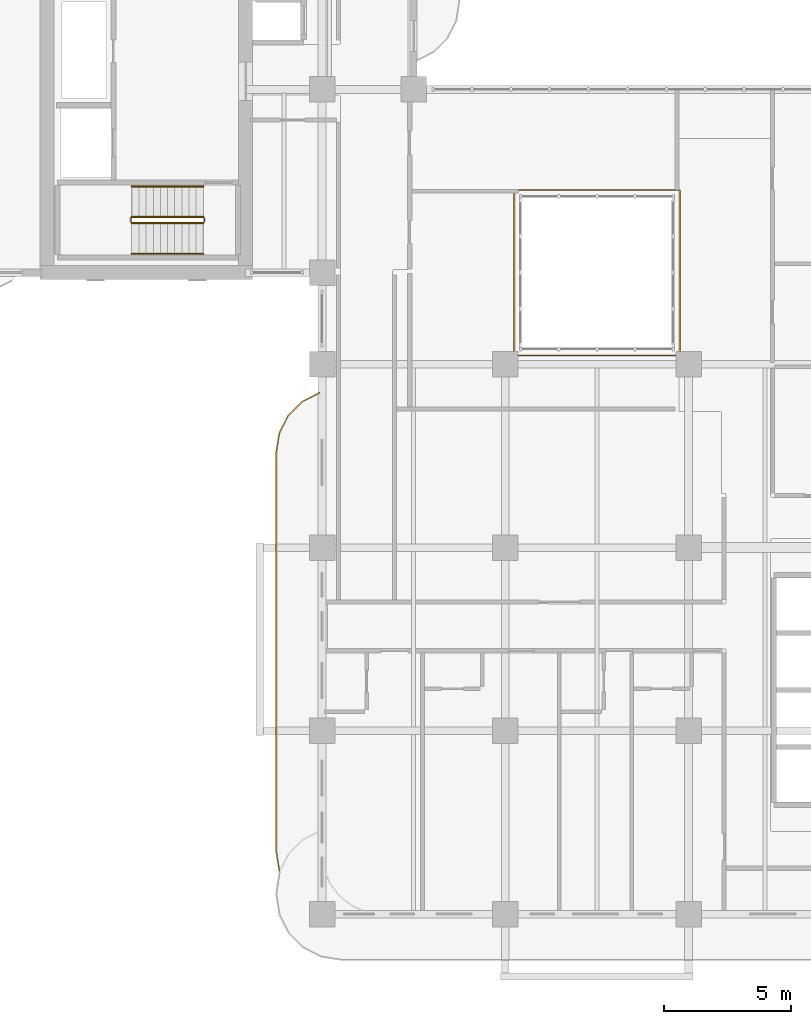
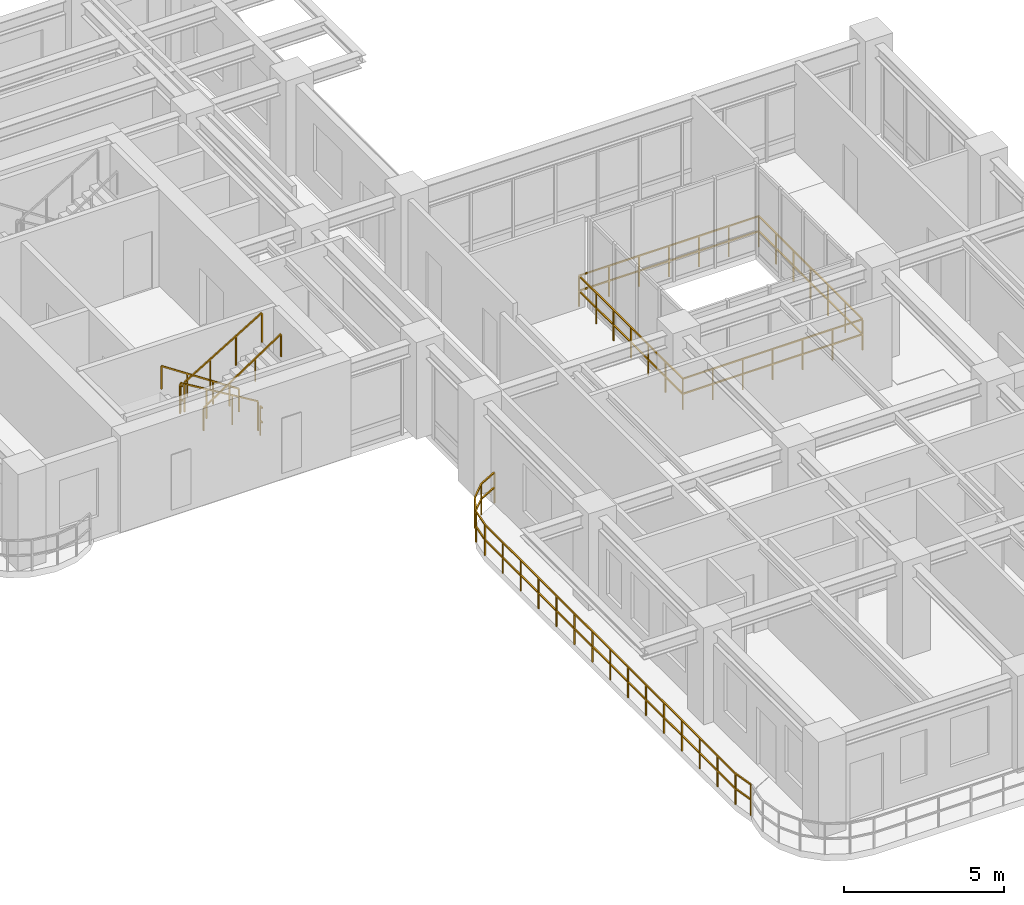
# One storey, part 17 of 20: 8 railings.
"""IFC4 building model written with IfcOpenShell, lengths in metres."""

from ifc_helpers import new_model, si_unit, derived_unit, direction, frame, origin, origin_2d, place, context, subcontext, project, spatial, rectangle, extrude, material, type_object, element, save


model = new_model("IFC4")

# Units and contexts
model_context = context("Model", 3, precision=1e-05, world=origin(), true_north=direction((0.0, 1.0)))
body_context = subcontext(model_context, "Body", "Model", "MODEL_VIEW")
ifc_project = project(units=[si_unit("LENGTHUNIT", "METRE"), si_unit("AREAUNIT", "SQUARE_METRE"), si_unit("VOLUMEUNIT", "CUBIC_METRE"), si_unit("PLANEANGLEUNIT", "RADIAN"), si_unit("MASSUNIT", "GRAM", prefix="KILO"), si_unit("THERMODYNAMICTEMPERATUREUNIT", "KELVIN"), si_unit("POWERUNIT", "WATT"), derived_unit("THERMALTRANSMITTANCEUNIT", [(si_unit("POWERUNIT", "WATT"), 1), (si_unit("AREAUNIT", "SQUARE_METRE"), -1), (si_unit("THERMODYNAMICTEMPERATUREUNIT", "KELVIN"), -1)])], contexts=[model_context])

# Site, building, storey
site_placement = place(None, origin())
site = spatial("IfcSite", under=ifc_project, at=site_placement, CompositionType="ELEMENT")
building_placement = place(site_placement, origin())
building = spatial("IfcBuilding", under=site, at=building_placement, Name="Zahravan Archway Hotel and Residences", CompositionType="ELEMENT")
storey_placement = place(building_placement, frame((0.0, 0.0, 126.60009765625)))
storey = spatial("IfcBuildingStorey", under=building, at=storey_placement, Name="L31", CompositionType="ELEMENT", Elevation=126.60009765625)

# Railings
ifc_material_1 = material(Name="Atrium Laminated Glass Guardrail", Category="glass")
railing_type_1 = type_object("IfcRailingType", Name="RL-ATR-1200", PredefinedType="BALUSTRADE", material=ifc_material_1)
railing_1_placement = place(storey_placement, frame((21.949951171875, 21.949951171875, 0.0)))
element("IfcRailing", 1, at=railing_1_placement, inside=storey, type_object=railing_type_1, Name="L31 Balustrade RL-ATR-L31", PredefinedType="BALUSTRADE", context=body_context, shape_type="SweptSolid", body=[
    extrude(rectangle(XDim=0.048095703125, YDim=0.048095703125, at=origin_2d()), frame((0.0, 0.0, 1.17578125), z_axis=(1.0, 0.0, 0.0), x_axis=(0.0, 1.0, 0.0)), (0.0, 0.0, 1.0), 6.5),
    extrude(rectangle(XDim=0.048095703125, YDim=0.048095703125, at=origin_2d()), frame((0.0, 0.0, 0.60009765625), z_axis=(1.0, 0.0, 0.0), x_axis=(0.0, 1.0, 0.0)), (0.0, 0.0, 1.0), 6.5),
    extrude(rectangle(XDim=0.048095703125, YDim=0.048095703125, at=origin_2d()), frame((6.5, 0.0, 1.17578125), z_axis=(0.0, 1.0, 0.0), x_axis=(-1.0, 0.0, 0.0)), (0.0, 0.0, 1.0), 6.5),
    extrude(rectangle(XDim=0.048095703125, YDim=0.048095703125, at=origin_2d()), frame((6.5, 0.0, 0.60009765625), z_axis=(0.0, 1.0, 0.0), x_axis=(-1.0, 0.0, 0.0)), (0.0, 0.0, 1.0), 6.5),
    extrude(rectangle(XDim=0.048095703125, YDim=0.048095703125, at=origin_2d()), frame((6.5, 6.5, 1.17578125), z_axis=(-1.0, 0.0, 0.0), x_axis=(0.0, -1.0, 0.0)), (0.0, 0.0, 1.0), 6.5),
    extrude(rectangle(XDim=0.048095703125, YDim=0.048095703125, at=origin_2d()), frame((6.5, 6.5, 0.60009765625), z_axis=(-1.0, 0.0, 0.0), x_axis=(0.0, -1.0, 0.0)), (0.0, 0.0, 1.0), 6.5),
    extrude(rectangle(XDim=0.048095703125, YDim=0.048095703125, at=origin_2d()), frame((0.0, 6.5, 1.17578125), z_axis=(0.0, -1.0, 0.0), x_axis=(1.0, 0.0, 0.0)), (0.0, 0.0, 1.0), 6.5),
    extrude(rectangle(XDim=0.048095703125, YDim=0.048095703125, at=origin_2d()), frame((0.0, 6.5, 0.60009765625), z_axis=(0.0, -1.0, 0.0), x_axis=(1.0, 0.0, 0.0)), (0.0, 0.0, 1.0), 6.5),
    extrude(rectangle(XDim=0.0419921875, YDim=0.0419921875, at=origin_2d()), origin(), (0.0, 0.0, 1.0), 1.15185546875),
    extrude(rectangle(XDim=0.0419921875, YDim=0.0419921875, at=origin_2d()), frame((1.083251953125, 0.0, 0.0)), (0.0, 0.0, 1.0), 1.15185546875),
    extrude(rectangle(XDim=0.0419921875, YDim=0.0419921875, at=origin_2d()), frame((2.166748046875, 0.0, 0.0)), (0.0, 0.0, 1.0), 1.15185546875),
    extrude(rectangle(XDim=0.0419921875, YDim=0.0419921875, at=origin_2d()), frame((3.25, 0.0, 0.0)), (0.0, 0.0, 1.0), 1.15185546875),
    extrude(rectangle(XDim=0.0419921875, YDim=0.0419921875, at=origin_2d()), frame((4.333251953125, 0.0, 0.0)), (0.0, 0.0, 1.0), 1.15185546875),
    extrude(rectangle(XDim=0.0419921875, YDim=0.0419921875, at=origin_2d()), frame((5.416748046875, 0.0, 0.0)), (0.0, 0.0, 1.0), 1.15185546875),
    extrude(rectangle(XDim=0.0419921875, YDim=0.0419921875, at=origin_2d()), frame((6.5, 0.0, 0.0)), (0.0, 0.0, 1.0), 1.15185546875),
    extrude(rectangle(XDim=0.0419921875, YDim=0.0419921875, at=origin_2d()), frame((6.5, 1.083251953125, 0.0)), (0.0, 0.0, 1.0), 1.15185546875),
    extrude(rectangle(XDim=0.0419921875, YDim=0.0419921875, at=origin_2d()), frame((6.5, 2.166748046875, 0.0)), (0.0, 0.0, 1.0), 1.15185546875),
    extrude(rectangle(XDim=0.0419921875, YDim=0.0419921875, at=origin_2d()), frame((6.5, 3.25, 0.0)), (0.0, 0.0, 1.0), 1.15185546875),
    extrude(rectangle(XDim=0.0419921875, YDim=0.0419921875, at=origin_2d()), frame((6.5, 4.333251953125, 0.0)), (0.0, 0.0, 1.0), 1.15185546875),
    extrude(rectangle(XDim=0.0419921875, YDim=0.0419921875, at=origin_2d()), frame((6.5, 5.416748046875, 0.0)), (0.0, 0.0, 1.0), 1.15185546875),
    extrude(rectangle(XDim=0.0419921875, YDim=0.0419921875, at=origin_2d()), frame((6.5, 6.5, 0.0)), (0.0, 0.0, 1.0), 1.15185546875),
    extrude(rectangle(XDim=0.0419921875, YDim=0.0419921875, at=origin_2d()), frame((5.416748046875, 6.5, 0.0)), (0.0, 0.0, 1.0), 1.15185546875),
    extrude(rectangle(XDim=0.0419921875, YDim=0.0419921875, at=origin_2d()), frame((4.333251953125, 6.5, 0.0)), (0.0, 0.0, 1.0), 1.15185546875),
    extrude(rectangle(XDim=0.0419921875, YDim=0.0419921875, at=origin_2d()), frame((3.25, 6.5, 0.0)), (0.0, 0.0, 1.0), 1.15185546875),
    extrude(rectangle(XDim=0.0419921875, YDim=0.0419921875, at=origin_2d()), frame((2.166748046875, 6.5, 0.0)), (0.0, 0.0, 1.0), 1.15185546875),
    extrude(rectangle(XDim=0.0419921875, YDim=0.0419921875, at=origin_2d()), frame((1.083251953125, 6.5, 0.0)), (0.0, 0.0, 1.0), 1.15185546875),
    extrude(rectangle(XDim=0.0419921875, YDim=0.0419921875, at=origin_2d()), frame((0.0, 6.5, 0.0)), (0.0, 0.0, 1.0), 1.15185546875),
    extrude(rectangle(XDim=0.0419921875, YDim=0.0419921875, at=origin_2d()), frame((0.0, 5.416748046875, 0.0)), (0.0, 0.0, 1.0), 1.15185546875),
    extrude(rectangle(XDim=0.0419921875, YDim=0.0419921875, at=origin_2d()), frame((0.0, 4.333251953125, 0.0)), (0.0, 0.0, 1.0), 1.15185546875),
    extrude(rectangle(XDim=0.0419921875, YDim=0.0419921875, at=origin_2d()), frame((0.0, 3.25, 0.0)), (0.0, 0.0, 1.0), 1.15185546875),
    extrude(rectangle(XDim=0.0419921875, YDim=0.0419921875, at=origin_2d()), frame((0.0, 2.166748046875, 0.0)), (0.0, 0.0, 1.0), 1.15185546875),
    extrude(rectangle(XDim=0.0419921875, YDim=0.0419921875, at=origin_2d()), frame((0.0, 1.083251953125, 0.0)), (0.0, 0.0, 1.0), 1.15185546875),
])
ifc_material_2 = material(Name="Bronze & Laminated Glass Balustrade", Category="glass")
railing_type_2 = type_object("IfcRailingType", Name="RL-BAL-1200", PredefinedType="BALUSTRADE", material=ifc_material_2)
railing_2_placement = place(storey_placement, frame((12.719970703125, 1.69287109375, 0.0)))
element("IfcRailing", 2, at=railing_2_placement, inside=storey, type_object=railing_type_2, Name="L31 Balustrade RL-SLB-BAL-L31-WA-1", PredefinedType="BALUSTRADE", context=body_context, shape_type="SweptSolid", body=[
    extrude(rectangle(XDim=0.048095703125, YDim=0.048095703125, at=origin_2d()), frame((0.0, 0.0, 1.17578125), z_axis=(-0.156387811283, 0.987695728695, 0.0), x_axis=(-0.987695728695, -0.156387811283, 0.0)), (0.0, 0.0, 1.0), 0.7666015625),
    extrude(rectangle(XDim=0.048095703125, YDim=0.048095703125, at=origin_2d()), frame((0.0, 0.0, 0.60009765625), z_axis=(-0.156387811283, 0.987695728695, 0.0), x_axis=(-0.987695728695, -0.156387811283, 0.0)), (0.0, 0.0, 1.0), 0.7666015625),
    extrude(rectangle(XDim=0.048095703125, YDim=0.048095703125, at=origin_2d()), frame((-0.119873046875, 0.757080078125, 1.17578125), z_axis=(0.0, 1.0, 0.0), x_axis=(-1.0, 0.0, 0.0)), (0.0, 0.0, 1.0), 15.699951171875),
    extrude(rectangle(XDim=0.048095703125, YDim=0.048095703125, at=origin_2d()), frame((-0.119873046875, 0.757080078125, 0.60009765625), z_axis=(0.0, 1.0, 0.0), x_axis=(-1.0, 0.0, 0.0)), (0.0, 0.0, 1.0), 15.699951171875),
    extrude(rectangle(XDim=0.048095703125, YDim=0.048095703125, at=origin_2d()), frame((-0.119873046875, 16.45703125, 1.17578125), z_axis=(0.156387811283, 0.987695728695, 0.0), x_axis=(-0.987695728695, 0.156387811283, 0.0)), (0.0, 0.0, 1.0), 0.7666015625),
    extrude(rectangle(XDim=0.048095703125, YDim=0.048095703125, at=origin_2d()), frame((-0.119873046875, 16.45703125, 0.60009765625), z_axis=(0.156387811283, 0.987695728695, 0.0), x_axis=(-0.987695728695, 0.156387811283, 0.0)), (0.0, 0.0, 1.0), 0.7666015625),
    extrude(rectangle(XDim=0.048095703125, YDim=0.048095703125, at=origin_2d()), frame((0.0, 17.214111328125, 1.17578125), z_axis=(0.453825591531, 0.891090529897, 0.0), x_axis=(-0.891090529897, 0.453825591531, 0.0)), (0.0, 0.0, 1.0), 0.7666015625),
    extrude(rectangle(XDim=0.048095703125, YDim=0.048095703125, at=origin_2d()), frame((0.0, 17.214111328125, 0.60009765625), z_axis=(0.453825591531, 0.891090529897, 0.0), x_axis=(-0.891090529897, 0.453825591531, 0.0)), (0.0, 0.0, 1.0), 0.7666015625),
    extrude(rectangle(XDim=0.048095703125, YDim=0.048095703125, at=origin_2d()), frame((0.347900390625, 17.897216796875, 1.17578125), z_axis=(0.707106781187, 0.707106781187, 0.0), x_axis=(-0.707106781187, 0.707106781187, 0.0)), (0.0, 0.0, 1.0), 0.7666015625),
    extrude(rectangle(XDim=0.048095703125, YDim=0.048095703125, at=origin_2d()), frame((0.347900390625, 17.897216796875, 0.60009765625), z_axis=(0.707106781187, 0.707106781187, 0.0), x_axis=(-0.707106781187, 0.707106781187, 0.0)), (0.0, 0.0, 1.0), 0.7666015625),
    extrude(rectangle(XDim=0.048095703125, YDim=0.048095703125, at=origin_2d()), frame((0.889892578125, 18.439208984375, 1.17578125), z_axis=(0.891090529897, 0.453825591531, 0.0), x_axis=(-0.453825591531, 0.891090529897, 0.0)), (0.0, 0.0, 1.0), 0.7666015625),
    extrude(rectangle(XDim=0.048095703125, YDim=0.048095703125, at=origin_2d()), frame((0.889892578125, 18.439208984375, 0.60009765625), z_axis=(0.891090529897, 0.453825591531, 0.0), x_axis=(-0.453825591531, 0.891090529897, 0.0)), (0.0, 0.0, 1.0), 0.7666015625),
    extrude(rectangle(XDim=0.0419921875, YDim=0.0419921875, at=origin_2d()), origin(), (0.0, 0.0, 1.0), 1.15185546875),
    extrude(rectangle(XDim=0.0419921875, YDim=0.0419921875, at=origin_2d()), frame((-0.119873046875, 0.757080078125, 0.0)), (0.0, 0.0, 1.0), 1.15185546875),
    extrude(rectangle(XDim=0.0419921875, YDim=0.0419921875, at=origin_2d()), frame((-0.119873046875, 1.87841796875, 0.0)), (0.0, 0.0, 1.0), 1.15185546875),
    extrude(rectangle(XDim=0.0419921875, YDim=0.0419921875, at=origin_2d()), frame((-0.119873046875, 3.0, 0.0)), (0.0, 0.0, 1.0), 1.15185546875),
    extrude(rectangle(XDim=0.0419921875, YDim=0.0419921875, at=origin_2d()), frame((-0.119873046875, 4.121337890625, 0.0)), (0.0, 0.0, 1.0), 1.15185546875),
    extrude(rectangle(XDim=0.0419921875, YDim=0.0419921875, at=origin_2d()), frame((-0.119873046875, 5.24267578125, 0.0)), (0.0, 0.0, 1.0), 1.15185546875),
    extrude(rectangle(XDim=0.0419921875, YDim=0.0419921875, at=origin_2d()), frame((-0.119873046875, 6.3642578125, 0.0)), (0.0, 0.0, 1.0), 1.15185546875),
    extrude(rectangle(XDim=0.0419921875, YDim=0.0419921875, at=origin_2d()), frame((-0.119873046875, 7.485595703125, 0.0)), (0.0, 0.0, 1.0), 1.15185546875),
    extrude(rectangle(XDim=0.0419921875, YDim=0.0419921875, at=origin_2d()), frame((-0.119873046875, 8.60693359375, 0.0)), (0.0, 0.0, 1.0), 1.15185546875),
    extrude(rectangle(XDim=0.0419921875, YDim=0.0419921875, at=origin_2d()), frame((-0.119873046875, 9.728515625, 0.0)), (0.0, 0.0, 1.0), 1.15185546875),
    extrude(rectangle(XDim=0.0419921875, YDim=0.0419921875, at=origin_2d()), frame((-0.119873046875, 10.849853515625, 0.0)), (0.0, 0.0, 1.0), 1.15185546875),
    extrude(rectangle(XDim=0.0419921875, YDim=0.0419921875, at=origin_2d()), frame((-0.119873046875, 11.971435546875, 0.0)), (0.0, 0.0, 1.0), 1.15185546875),
    extrude(rectangle(XDim=0.0419921875, YDim=0.0419921875, at=origin_2d()), frame((-0.119873046875, 13.0927734375, 0.0)), (0.0, 0.0, 1.0), 1.15185546875),
    extrude(rectangle(XDim=0.0419921875, YDim=0.0419921875, at=origin_2d()), frame((-0.119873046875, 14.214111328125, 0.0)), (0.0, 0.0, 1.0), 1.15185546875),
    extrude(rectangle(XDim=0.0419921875, YDim=0.0419921875, at=origin_2d()), frame((-0.119873046875, 15.335693359375, 0.0)), (0.0, 0.0, 1.0), 1.15185546875),
    extrude(rectangle(XDim=0.0419921875, YDim=0.0419921875, at=origin_2d()), frame((-0.119873046875, 16.45703125, 0.0)), (0.0, 0.0, 1.0), 1.15185546875),
    extrude(rectangle(XDim=0.0419921875, YDim=0.0419921875, at=origin_2d()), frame((0.0, 17.214111328125, 0.0)), (0.0, 0.0, 1.0), 1.15185546875),
    extrude(rectangle(XDim=0.0419921875, YDim=0.0419921875, at=origin_2d()), frame((0.347900390625, 17.897216796875, 0.0)), (0.0, 0.0, 1.0), 1.15185546875),
    extrude(rectangle(XDim=0.0419921875, YDim=0.0419921875, at=origin_2d()), frame((0.889892578125, 18.439208984375, 0.0)), (0.0, 0.0, 1.0), 1.15185546875),
    extrude(rectangle(XDim=0.0419921875, YDim=0.0419921875, at=origin_2d()), frame((1.572998046875, 18.787109375, 0.0)), (0.0, 0.0, 1.0), 1.15185546875),
])
ifc_material_3 = material(Name="Painted Tubular Steel", Category="steel")
railing_type_3 = type_object("IfcRailingType", Name="RL-STG-1150", PredefinedType="GUARDRAIL", material=ifc_material_3)
railing_3_placement = place(storey_placement, frame((9.72998046875, 27.389892578125, 0.16796875)))
element("IfcRailing", 3, at=railing_3_placement, inside=storey, type_object=railing_type_3, Name="L31 ST-B1 stair guard 1", PredefinedType="GUARDRAIL", context=body_context, shape_type="SweptSolid", body=[
    extrude(rectangle(XDim=0.048095703125, YDim=0.048095703125, at=origin_2d()), frame((0.0, 0.0, 1.1259765625), z_axis=(-0.857242210791, 0.0, 0.514913383045), x_axis=(0.0, -1.0, 0.0)), (0.0, 0.0, 1.0), 3.266357421875),
    extrude(rectangle(XDim=0.0419921875, YDim=0.0419921875, at=origin_2d()), origin(), (0.0, 0.0, 1.0), 1.101806640625),
    extrude(rectangle(XDim=0.0419921875, YDim=0.0419921875, at=origin_2d()), frame((-0.933349609375, 0.0, 0.560546875)), (0.0, 0.0, 1.0), 1.101806640625),
    extrude(rectangle(XDim=0.0419921875, YDim=0.0419921875, at=origin_2d()), frame((-1.86669921875, 0.0, 1.121337890625)), (0.0, 0.0, 1.0), 1.101806640625),
    extrude(rectangle(XDim=0.0419921875, YDim=0.0419921875, at=origin_2d()), frame((-2.800048828125, 0.0, 1.681884765625)), (0.0, 0.0, 1.0), 1.101806640625),
])
railing_4_placement = place(storey_placement, frame((6.8798828125, 27.340087890625, 1.849853515625)))
element("IfcRailing", 4, at=railing_4_placement, inside=storey, type_object=railing_type_3, Name="L31 ST-B1 stair guard 2", PredefinedType="GUARDRAIL", context=body_context, shape_type="SweptSolid", body=[
    extrude(rectangle(XDim=0.048095703125, YDim=0.048095703125, at=origin_2d()), frame((0.0, 0.0, 1.1259765625), z_axis=(0.0, -1.0, 0.0), x_axis=(1.0, 0.0, 0.0)), (0.0, 0.0, 1.0), 0.14013671875),
    extrude(rectangle(XDim=0.048095703125, YDim=0.048095703125, at=origin_2d()), frame((0.0, 0.0, 0.574951171875), z_axis=(0.0, -1.0, 0.0), x_axis=(1.0, 0.0, 0.0)), (0.0, 0.0, 1.0), 0.14013671875),
    extrude(rectangle(XDim=0.0419921875, YDim=0.0419921875, at=origin_2d()), origin(), (0.0, 0.0, 1.0), 1.101806640625),
])
railing_5_placement = place(storey_placement, frame((6.929931640625, 27.14990234375, 2.01806640625)))
element("IfcRailing", 5, at=railing_5_placement, inside=storey, type_object=railing_type_3, Name="L31 ST-B1 stair guard 3", PredefinedType="GUARDRAIL", context=body_context, shape_type="SweptSolid", body=[
    extrude(rectangle(XDim=0.048095703125, YDim=0.048095703125, at=origin_2d()), frame((0.0, 0.0, 1.1259765625), z_axis=(0.857242210791, 0.0, 0.514913383045), x_axis=(0.0, 1.0, 0.0)), (0.0, 0.0, 1.0), 3.266357421875),
    extrude(rectangle(XDim=0.0419921875, YDim=0.0419921875, at=origin_2d()), origin(), (0.0, 0.0, 1.0), 1.101806640625),
    extrude(rectangle(XDim=0.0419921875, YDim=0.0419921875, at=origin_2d()), frame((0.933349609375, 0.0, 0.560546875)), (0.0, 0.0, 1.0), 1.101806640625),
    extrude(rectangle(XDim=0.0419921875, YDim=0.0419921875, at=origin_2d()), frame((1.86669921875, 0.0, 1.121337890625)), (0.0, 0.0, 1.0), 1.101806640625),
    extrude(rectangle(XDim=0.0419921875, YDim=0.0419921875, at=origin_2d()), frame((2.800048828125, 0.0, 1.681884765625)), (0.0, 0.0, 1.0), 1.101806640625),
])
railing_6_placement = place(storey_placement, frame((9.780029296875, 27.340087890625, 0.0)))
element("IfcRailing", 6, at=railing_6_placement, inside=storey, type_object=railing_type_3, Name="L31 ST-B1 stair guard 4", PredefinedType="GUARDRAIL", context=body_context, shape_type="SweptSolid", body=[
    extrude(rectangle(XDim=0.048095703125, YDim=0.048095703125, at=origin_2d()), frame((0.0, 0.0, 1.1259765625), z_axis=(0.0, -1.0, 0.0), x_axis=(1.0, 0.0, 0.0)), (0.0, 0.0, 1.0), 0.14013671875),
    extrude(rectangle(XDim=0.048095703125, YDim=0.048095703125, at=origin_2d()), frame((0.0, 0.0, 0.574951171875), z_axis=(0.0, -1.0, 0.0), x_axis=(1.0, 0.0, 0.0)), (0.0, 0.0, 1.0), 0.14013671875),
    extrude(rectangle(XDim=0.0419921875, YDim=0.0419921875, at=origin_2d()), origin(), (0.0, 0.0, 1.0), 1.101806640625),
])
ifc_material_4 = material(Name="Brushed Stainless Steel", Category="steel")
railing_type_4 = type_object("IfcRailingType", Name="RL-STH-900", PredefinedType="HANDRAIL", material=ifc_material_4)
railing_7_placement = place(storey_placement, frame((9.72998046875, 28.590087890625, 0.16796875)))
element("IfcRailing", 7, at=railing_7_placement, inside=storey, type_object=railing_type_4, Name="L31 ST-B1 stair handrail 1", PredefinedType="HANDRAIL", context=body_context, shape_type="SweptSolid", body=[
    extrude(rectangle(XDim=0.048095703125, YDim=0.048095703125, at=origin_2d()), frame((0.0, 0.0, 0.8759765625), z_axis=(-0.834326358476, 0.0, 0.551270829586), x_axis=(0.0, -1.0, 0.0)), (0.0, 0.0, 1.0), 3.35595703125),
    extrude(rectangle(XDim=0.0419921875, YDim=0.0419921875, at=origin_2d()), origin(), (0.0, 0.0, 1.0), 0.851806640625),
    extrude(rectangle(XDim=0.0419921875, YDim=0.0419921875, at=origin_2d()), frame((-0.933349609375, 0.0, 0.61669921875)), (0.0, 0.0, 1.0), 0.851806640625),
    extrude(rectangle(XDim=0.0419921875, YDim=0.0419921875, at=origin_2d()), frame((-1.86669921875, 0.0, 1.2333984375)), (0.0, 0.0, 1.0), 0.851806640625),
    extrude(rectangle(XDim=0.0419921875, YDim=0.0419921875, at=origin_2d()), frame((-2.800048828125, 0.0, 1.85009765625)), (0.0, 0.0, 1.0), 0.851806640625),
])
railing_8_placement = place(storey_placement, frame((6.929931640625, 25.949951171875, 2.01806640625)))
element("IfcRailing", 8, at=railing_8_placement, inside=storey, type_object=railing_type_4, Name="L31 ST-B1 stair handrail 2", PredefinedType="HANDRAIL", context=body_context, shape_type="SweptSolid", body=[
    extrude(rectangle(XDim=0.048095703125, YDim=0.048095703125, at=origin_2d()), frame((0.0, 0.0, 0.8759765625), z_axis=(0.834326358476, 0.0, 0.551270829586), x_axis=(0.0, 1.0, 0.0)), (0.0, 0.0, 1.0), 3.35595703125),
    extrude(rectangle(XDim=0.0419921875, YDim=0.0419921875, at=origin_2d()), origin(), (0.0, 0.0, 1.0), 0.851806640625),
    extrude(rectangle(XDim=0.0419921875, YDim=0.0419921875, at=origin_2d()), frame((0.933349609375, 0.0, 0.61669921875)), (0.0, 0.0, 1.0), 0.851806640625),
    extrude(rectangle(XDim=0.0419921875, YDim=0.0419921875, at=origin_2d()), frame((1.86669921875, 0.0, 1.2333984375)), (0.0, 0.0, 1.0), 0.851806640625),
    extrude(rectangle(XDim=0.0419921875, YDim=0.0419921875, at=origin_2d()), frame((2.800048828125, 0.0, 1.85009765625)), (0.0, 0.0, 1.0), 0.851806640625),
])

save(model, "model.ifc")
